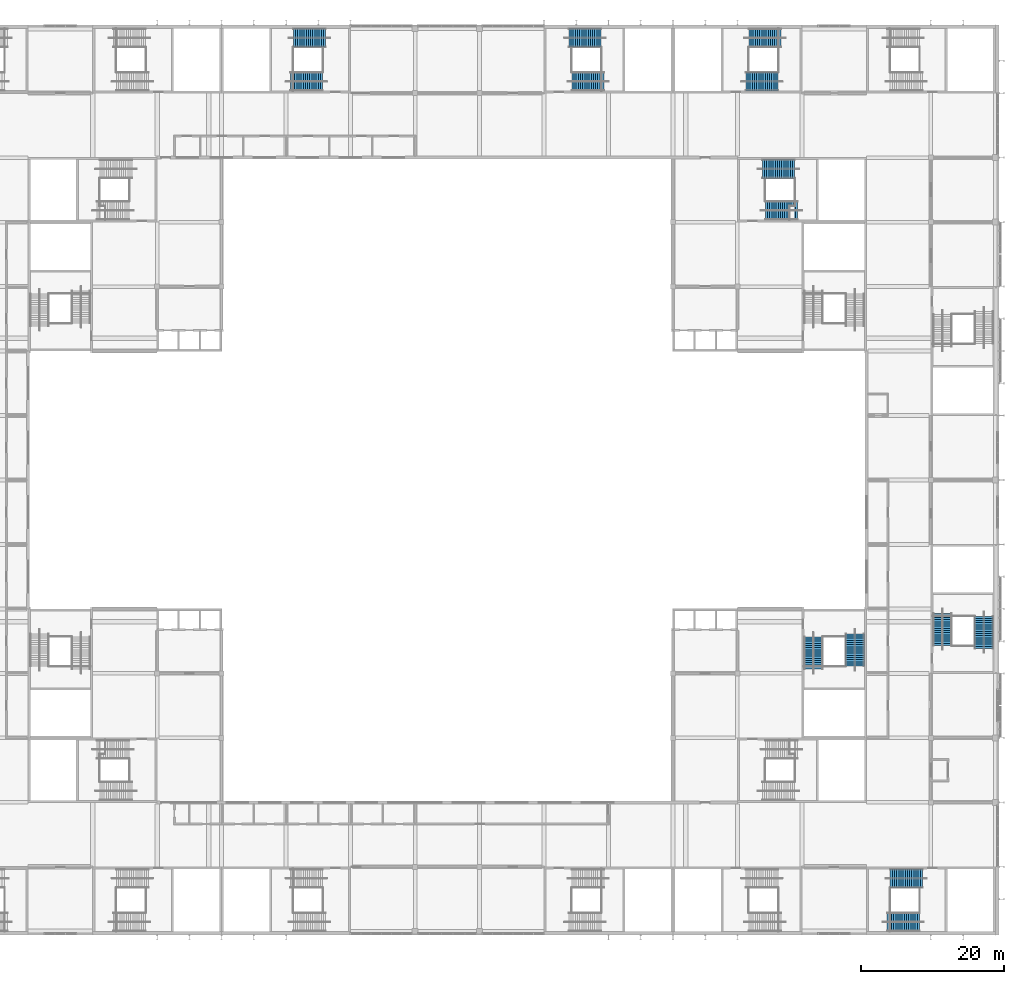
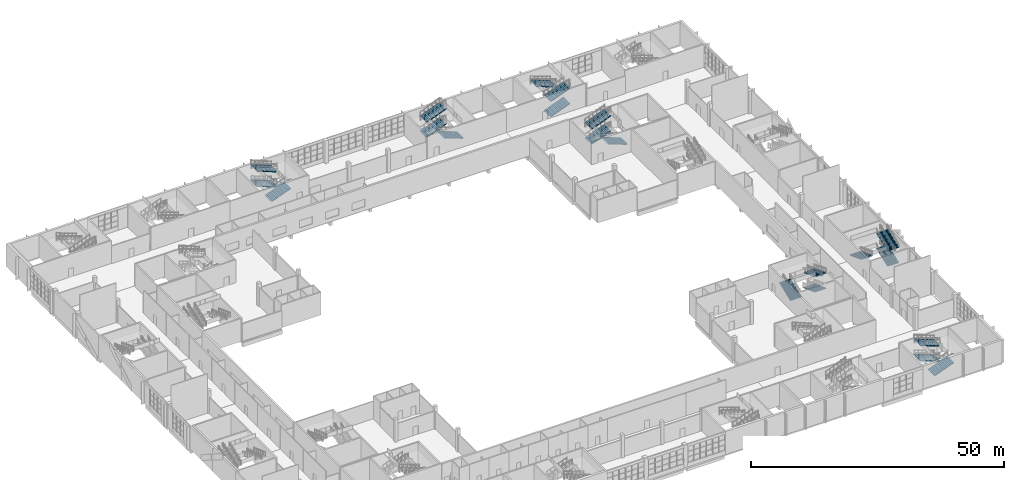
# One storey, part 46 of 84: 21 stair flights, 7 elements without a shape of their own.
"""IFC4 building model written with IfcOpenShell, lengths in metres."""

from ifc_helpers import new_model, si_unit, direction, frame, origin, place, context, subcontext, project, spatial, polyline, outline, extrude, material, type_object, element, aggregate, save


model = new_model("IFC4")

# Units and contexts
model_context = context("Model", 3, precision=1e-05, world=origin(), true_north=direction((0.0, 1.0)))
body_context = subcontext(model_context, "Body", "Model", "MODEL_VIEW")
ifc_project = project(units=[si_unit("LENGTHUNIT", "METRE"), si_unit("AREAUNIT", "SQUARE_METRE"), si_unit("VOLUMEUNIT", "CUBIC_METRE"), si_unit("PLANEANGLEUNIT", "RADIAN"), si_unit("MASSUNIT", "GRAM", prefix="KILO")], contexts=[model_context])

# Site, building, storey
site_placement = place(None, origin())
site = spatial("IfcSite", under=ifc_project, at=site_placement, CompositionType="ELEMENT")
building_placement = place(site_placement, origin())
building = spatial("IfcBuilding", under=site, at=building_placement, Name="Silverbay Arena", CompositionType="ELEMENT")
storey_placement = place(building_placement, frame((0.0, 0.0, 28.0)))
storey = spatial("IfcBuildingStorey", under=building, at=storey_placement, Name="L04", CompositionType="ELEMENT", Elevation=28.0)

# Stair, stair flights
ifc_material_1 = material(Name="Concrete Grade C45", Category="concrete")
stair_type = type_object("IfcStairType", Name="Stair 2600 wide 48 risers 114.6 x 300", PredefinedType="HALF_TURN_STAIR", material=ifc_material_1)
stair_1_placement = place(storey_placement, origin())
stair_1 = element("IfcStair", 1, at=stair_1_placement, inside=storey, type_object=stair_type, Name="Stair ST-N2 L04 to L05", PredefinedType="HALF_TURN_STAIR")
ifc_material_2 = material(Name="Concrete Grade C45", Category="concrete")
stair_flight_type = type_object("IfcStairFlightType", Name="Stair flight 2600 wide 16 risers 114.6 x 300", PredefinedType="STRAIGHT", material=ifc_material_2)
stair_flight_1_placement = place(storey_placement, frame((113.5205078125, 142.699951171875, 0.0), z_axis=(0.0, 0.0, 1.0), x_axis=(-1.0, 0.0, 0.0)))
stair_flight_1 = element("IfcStairFlight", 2, at=stair_flight_1_placement, type_object=stair_flight_type, Name="Stair ST-N2 L04 to L05 flight 1", NumberOfRisers=16, NumberOfTreads=15, PredefinedType="STRAIGHT", RiserHeight=0.114583333, TreadLength=0.3, context=body_context, shape_type="SweptSolid", body=[
    extrude(outline(polyline([(0.0, 0.0), (0.0, 0.114501953125), (0.300048828125, 0.114501953125), (0.300048828125, 0.229248046875), (0.60009765625, 0.229248046875), (0.60009765625, 0.34375), (0.89990234375, 0.34375), (0.89990234375, 0.458251953125), (1.199951171875, 0.458251953125), (1.199951171875, 0.572998046875), (1.5, 0.572998046875), (1.5, 0.6875), (1.800048828125, 0.6875), (1.800048828125, 0.802001953125), (2.10009765625, 0.802001953125), (2.10009765625, 0.916748046875), (2.39990234375, 0.916748046875), (2.39990234375, 1.03125), (2.699951171875, 1.03125), (2.699951171875, 1.145751953125), (3.0, 1.145751953125), (3.0, 1.260498046875), (3.300048828125, 1.260498046875), (3.300048828125, 1.375), (3.60009765625, 1.375), (3.60009765625, 1.489501953125), (3.89990234375, 1.489501953125), (3.89990234375, 1.604248046875), (4.199951171875, 1.604248046875), (4.199951171875, 1.71875), (4.5, 1.71875), (4.5, 1.558349609375), (0.420166015625, 0.0), (0.0, 0.0)])), frame((0.0, 1.300048828125, 0.0), z_axis=(0.0, -1.0, 0.0), x_axis=(1.0, 0.0, 0.0)), (0.0, 0.0, 1.0), 2.60009765625),
])
stair_flight_2_placement = place(storey_placement, frame((108.60009765625, 136.60009765625, 1.833251953125), z_axis=(0.0, 0.0, 1.0), x_axis=(1.0, 0.0, 0.0)))
stair_flight_2 = element("IfcStairFlight", 3, at=stair_flight_2_placement, type_object=stair_flight_type, Name="Stair ST-N2 L04 to L05 flight 2", NumberOfRisers=16, NumberOfTreads=15, PredefinedType="STRAIGHT", RiserHeight=0.114583333, TreadLength=0.3, context=body_context, shape_type="SweptSolid", body=[
    extrude(outline(polyline([(0.0, 0.0), (0.0, 0.114501953125), (0.300048828125, 0.114501953125), (0.300048828125, 0.229248046875), (0.60009765625, 0.229248046875), (0.60009765625, 0.34375), (0.89990234375, 0.34375), (0.89990234375, 0.458251953125), (1.199951171875, 0.458251953125), (1.199951171875, 0.572998046875), (1.5, 0.572998046875), (1.5, 0.6875), (1.800048828125, 0.6875), (1.800048828125, 0.802001953125), (2.10009765625, 0.802001953125), (2.10009765625, 0.916748046875), (2.39990234375, 0.916748046875), (2.39990234375, 1.03125), (2.699951171875, 1.03125), (2.699951171875, 1.145751953125), (3.0, 1.145751953125), (3.0, 1.260498046875), (3.300048828125, 1.260498046875), (3.300048828125, 1.375), (3.60009765625, 1.375), (3.60009765625, 1.489501953125), (3.89990234375, 1.489501953125), (3.89990234375, 1.604248046875), (4.199951171875, 1.604248046875), (4.199951171875, 1.71875), (4.5, 1.71875), (4.5, 1.558349609375), (0.420166015625, 0.0), (0.0, 0.0)])), frame((0.0, 1.300048828125, 0.0), z_axis=(0.0, -1.0, 0.0), x_axis=(1.0, 0.0, 0.0)), (0.0, 0.0, 1.0), 2.60009765625),
])
stair_flight_3_placement = place(storey_placement, frame((113.5205078125, 142.699951171875, 3.666748046875), z_axis=(0.0, 0.0, 1.0), x_axis=(-1.0, 0.0, 0.0)))
stair_flight_3 = element("IfcStairFlight", 4, at=stair_flight_3_placement, type_object=stair_flight_type, Name="Stair ST-N2 L04 to L05 flight 3", NumberOfRisers=16, NumberOfTreads=15, PredefinedType="STRAIGHT", RiserHeight=0.114583333, TreadLength=0.3, context=body_context, shape_type="SweptSolid", body=[
    extrude(outline(polyline([(0.0, 0.0), (0.0, 0.114501953125), (0.300048828125, 0.114501953125), (0.300048828125, 0.229248046875), (0.60009765625, 0.229248046875), (0.60009765625, 0.34375), (0.89990234375, 0.34375), (0.89990234375, 0.458251953125), (1.199951171875, 0.458251953125), (1.199951171875, 0.572998046875), (1.5, 0.572998046875), (1.5, 0.6875), (1.800048828125, 0.6875), (1.800048828125, 0.802001953125), (2.10009765625, 0.802001953125), (2.10009765625, 0.916748046875), (2.39990234375, 0.916748046875), (2.39990234375, 1.03125), (2.699951171875, 1.03125), (2.699951171875, 1.145751953125), (3.0, 1.145751953125), (3.0, 1.260498046875), (3.300048828125, 1.260498046875), (3.300048828125, 1.375), (3.60009765625, 1.375), (3.60009765625, 1.489501953125), (3.89990234375, 1.489501953125), (3.89990234375, 1.604248046875), (4.199951171875, 1.604248046875), (4.199951171875, 1.71875), (4.5, 1.71875), (4.5, 1.558349609375), (0.420166015625, 0.0), (0.0, 0.0)])), frame((0.0, 1.300048828125, 0.0), z_axis=(0.0, -1.0, 0.0), x_axis=(1.0, 0.0, 0.0)), (0.0, 0.0, 1.0), 2.60009765625),
])
aggregate(stair_1, [stair_flight_1, stair_flight_2, stair_flight_3])

stair_2_placement = place(storey_placement, origin())
stair_2 = element("IfcStair", 5, at=stair_2_placement, inside=storey, type_object=stair_type, Name="Stair ST-N3 L04 to L05", PredefinedType="HALF_TURN_STAIR")
stair_flight_4_placement = place(storey_placement, frame((147.4794921875, 142.699951171875, 0.0), z_axis=(0.0, 0.0, 1.0), x_axis=(1.0, 0.0, 0.0)))
stair_flight_4 = element("IfcStairFlight", 6, at=stair_flight_4_placement, type_object=stair_flight_type, Name="Stair ST-N3 L04 to L05 flight 1", NumberOfRisers=16, NumberOfTreads=15, PredefinedType="STRAIGHT", RiserHeight=0.114583333, TreadLength=0.3, context=body_context, shape_type="SweptSolid", body=[
    extrude(outline(polyline([(0.0, 0.0), (0.0, 0.114501953125), (0.300048828125, 0.114501953125), (0.300048828125, 0.229248046875), (0.60009765625, 0.229248046875), (0.60009765625, 0.34375), (0.89990234375, 0.34375), (0.89990234375, 0.458251953125), (1.199951171875, 0.458251953125), (1.199951171875, 0.572998046875), (1.5, 0.572998046875), (1.5, 0.6875), (1.800048828125, 0.6875), (1.800048828125, 0.802001953125), (2.10009765625, 0.802001953125), (2.10009765625, 0.916748046875), (2.39990234375, 0.916748046875), (2.39990234375, 1.03125), (2.699951171875, 1.03125), (2.699951171875, 1.145751953125), (3.0, 1.145751953125), (3.0, 1.260498046875), (3.300048828125, 1.260498046875), (3.300048828125, 1.375), (3.60009765625, 1.375), (3.60009765625, 1.489501953125), (3.89990234375, 1.489501953125), (3.89990234375, 1.604248046875), (4.199951171875, 1.604248046875), (4.199951171875, 1.71875), (4.5, 1.71875), (4.5, 1.558349609375), (0.420166015625, 0.0), (0.0, 0.0)])), frame((0.0, 1.300048828125, 0.0), z_axis=(0.0, -1.0, 0.0), x_axis=(1.0, 0.0, 0.0)), (0.0, 0.0, 1.0), 2.60009765625),
])
stair_flight_5_placement = place(storey_placement, frame((152.39990234375, 136.60009765625, 1.833251953125), z_axis=(0.0, 0.0, 1.0), x_axis=(-1.0, 0.0, 0.0)))
stair_flight_5 = element("IfcStairFlight", 7, at=stair_flight_5_placement, type_object=stair_flight_type, Name="Stair ST-N3 L04 to L05 flight 2", NumberOfRisers=16, NumberOfTreads=15, PredefinedType="STRAIGHT", RiserHeight=0.114583333, TreadLength=0.3, context=body_context, shape_type="SweptSolid", body=[
    extrude(outline(polyline([(0.0, 0.0), (0.0, 0.114501953125), (0.300048828125, 0.114501953125), (0.300048828125, 0.229248046875), (0.60009765625, 0.229248046875), (0.60009765625, 0.34375), (0.89990234375, 0.34375), (0.89990234375, 0.458251953125), (1.199951171875, 0.458251953125), (1.199951171875, 0.572998046875), (1.5, 0.572998046875), (1.5, 0.6875), (1.800048828125, 0.6875), (1.800048828125, 0.802001953125), (2.10009765625, 0.802001953125), (2.10009765625, 0.916748046875), (2.39990234375, 0.916748046875), (2.39990234375, 1.03125), (2.699951171875, 1.03125), (2.699951171875, 1.145751953125), (3.0, 1.145751953125), (3.0, 1.260498046875), (3.300048828125, 1.260498046875), (3.300048828125, 1.375), (3.60009765625, 1.375), (3.60009765625, 1.489501953125), (3.89990234375, 1.489501953125), (3.89990234375, 1.604248046875), (4.199951171875, 1.604248046875), (4.199951171875, 1.71875), (4.5, 1.71875), (4.5, 1.558349609375), (0.420166015625, 0.0), (0.0, 0.0)])), frame((0.0, 1.300048828125, 0.0), z_axis=(0.0, -1.0, 0.0), x_axis=(1.0, 0.0, 0.0)), (0.0, 0.0, 1.0), 2.60009765625),
])
stair_flight_6_placement = place(storey_placement, frame((147.4794921875, 142.699951171875, 3.666748046875), z_axis=(0.0, 0.0, 1.0), x_axis=(1.0, 0.0, 0.0)))
stair_flight_6 = element("IfcStairFlight", 8, at=stair_flight_6_placement, type_object=stair_flight_type, Name="Stair ST-N3 L04 to L05 flight 3", NumberOfRisers=16, NumberOfTreads=15, PredefinedType="STRAIGHT", RiserHeight=0.114583333, TreadLength=0.3, context=body_context, shape_type="SweptSolid", body=[
    extrude(outline(polyline([(0.0, 0.0), (0.0, 0.114501953125), (0.300048828125, 0.114501953125), (0.300048828125, 0.229248046875), (0.60009765625, 0.229248046875), (0.60009765625, 0.34375), (0.89990234375, 0.34375), (0.89990234375, 0.458251953125), (1.199951171875, 0.458251953125), (1.199951171875, 0.572998046875), (1.5, 0.572998046875), (1.5, 0.6875), (1.800048828125, 0.6875), (1.800048828125, 0.802001953125), (2.10009765625, 0.802001953125), (2.10009765625, 0.916748046875), (2.39990234375, 0.916748046875), (2.39990234375, 1.03125), (2.699951171875, 1.03125), (2.699951171875, 1.145751953125), (3.0, 1.145751953125), (3.0, 1.260498046875), (3.300048828125, 1.260498046875), (3.300048828125, 1.375), (3.60009765625, 1.375), (3.60009765625, 1.489501953125), (3.89990234375, 1.489501953125), (3.89990234375, 1.604248046875), (4.199951171875, 1.604248046875), (4.199951171875, 1.71875), (4.5, 1.71875), (4.5, 1.558349609375), (0.420166015625, 0.0), (0.0, 0.0)])), frame((0.0, 1.300048828125, 0.0), z_axis=(0.0, -1.0, 0.0), x_axis=(1.0, 0.0, 0.0)), (0.0, 0.0, 1.0), 2.60009765625),
])
aggregate(stair_2, [stair_flight_4, stair_flight_5, stair_flight_6])

stair_3_placement = place(storey_placement, origin())
stair_3 = element("IfcStair", 9, at=stair_3_placement, inside=storey, type_object=stair_type, Name="Stair ST-N4 L04 to L05", PredefinedType="HALF_TURN_STAIR")
stair_flight_7_placement = place(storey_placement, frame((172.1796875, 136.60009765625, 0.0), z_axis=(0.0, 0.0, 1.0), x_axis=(1.0, 0.0, 0.0)))
stair_flight_7 = element("IfcStairFlight", 10, at=stair_flight_7_placement, type_object=stair_flight_type, Name="Stair ST-N4 L04 to L05 flight 1", NumberOfRisers=16, NumberOfTreads=15, PredefinedType="STRAIGHT", RiserHeight=0.114583333, TreadLength=0.3, context=body_context, shape_type="SweptSolid", body=[
    extrude(outline(polyline([(0.0, 0.0), (0.0, 0.114501953125), (0.300048828125, 0.114501953125), (0.300048828125, 0.229248046875), (0.60009765625, 0.229248046875), (0.60009765625, 0.34375), (0.89990234375, 0.34375), (0.89990234375, 0.458251953125), (1.199951171875, 0.458251953125), (1.199951171875, 0.572998046875), (1.5, 0.572998046875), (1.5, 0.6875), (1.800048828125, 0.6875), (1.800048828125, 0.802001953125), (2.10009765625, 0.802001953125), (2.10009765625, 0.916748046875), (2.39990234375, 0.916748046875), (2.39990234375, 1.03125), (2.699951171875, 1.03125), (2.699951171875, 1.145751953125), (3.0, 1.145751953125), (3.0, 1.260498046875), (3.300048828125, 1.260498046875), (3.300048828125, 1.375), (3.60009765625, 1.375), (3.60009765625, 1.489501953125), (3.89990234375, 1.489501953125), (3.89990234375, 1.604248046875), (4.199951171875, 1.604248046875), (4.199951171875, 1.71875), (4.5, 1.71875), (4.5, 1.558349609375), (0.420166015625, 0.0), (0.0, 0.0)])), frame((0.0, 1.300048828125, 0.0), z_axis=(0.0, -1.0, 0.0), x_axis=(1.0, 0.0, 0.0)), (0.0, 0.0, 1.0), 2.60009765625),
])
stair_flight_8_placement = place(storey_placement, frame((177.10009765625, 142.699951171875, 1.833251953125), z_axis=(0.0, 0.0, 1.0), x_axis=(-1.0, 0.0, 0.0)))
stair_flight_8 = element("IfcStairFlight", 11, at=stair_flight_8_placement, type_object=stair_flight_type, Name="Stair ST-N4 L04 to L05 flight 2", NumberOfRisers=16, NumberOfTreads=15, PredefinedType="STRAIGHT", RiserHeight=0.114583333, TreadLength=0.3, context=body_context, shape_type="SweptSolid", body=[
    extrude(outline(polyline([(0.0, 0.0), (0.0, 0.114501953125), (0.300048828125, 0.114501953125), (0.300048828125, 0.229248046875), (0.60009765625, 0.229248046875), (0.60009765625, 0.34375), (0.89990234375, 0.34375), (0.89990234375, 0.458251953125), (1.199951171875, 0.458251953125), (1.199951171875, 0.572998046875), (1.5, 0.572998046875), (1.5, 0.6875), (1.800048828125, 0.6875), (1.800048828125, 0.802001953125), (2.10009765625, 0.802001953125), (2.10009765625, 0.916748046875), (2.39990234375, 0.916748046875), (2.39990234375, 1.03125), (2.699951171875, 1.03125), (2.699951171875, 1.145751953125), (3.0, 1.145751953125), (3.0, 1.260498046875), (3.300048828125, 1.260498046875), (3.300048828125, 1.375), (3.60009765625, 1.375), (3.60009765625, 1.489501953125), (3.89990234375, 1.489501953125), (3.89990234375, 1.604248046875), (4.199951171875, 1.604248046875), (4.199951171875, 1.71875), (4.5, 1.71875), (4.5, 1.558349609375), (0.420166015625, 0.0), (0.0, 0.0)])), frame((0.0, 1.300048828125, 0.0), z_axis=(0.0, -1.0, 0.0), x_axis=(1.0, 0.0, 0.0)), (0.0, 0.0, 1.0), 2.60009765625),
])
stair_flight_9_placement = place(storey_placement, frame((172.1796875, 136.60009765625, 3.666748046875), z_axis=(0.0, 0.0, 1.0), x_axis=(1.0, 0.0, 0.0)))
stair_flight_9 = element("IfcStairFlight", 12, at=stair_flight_9_placement, type_object=stair_flight_type, Name="Stair ST-N4 L04 to L05 flight 3", NumberOfRisers=16, NumberOfTreads=15, PredefinedType="STRAIGHT", RiserHeight=0.114583333, TreadLength=0.3, context=body_context, shape_type="SweptSolid", body=[
    extrude(outline(polyline([(0.0, 0.0), (0.0, 0.114501953125), (0.300048828125, 0.114501953125), (0.300048828125, 0.229248046875), (0.60009765625, 0.229248046875), (0.60009765625, 0.34375), (0.89990234375, 0.34375), (0.89990234375, 0.458251953125), (1.199951171875, 0.458251953125), (1.199951171875, 0.572998046875), (1.5, 0.572998046875), (1.5, 0.6875), (1.800048828125, 0.6875), (1.800048828125, 0.802001953125), (2.10009765625, 0.802001953125), (2.10009765625, 0.916748046875), (2.39990234375, 0.916748046875), (2.39990234375, 1.03125), (2.699951171875, 1.03125), (2.699951171875, 1.145751953125), (3.0, 1.145751953125), (3.0, 1.260498046875), (3.300048828125, 1.260498046875), (3.300048828125, 1.375), (3.60009765625, 1.375), (3.60009765625, 1.489501953125), (3.89990234375, 1.489501953125), (3.89990234375, 1.604248046875), (4.199951171875, 1.604248046875), (4.199951171875, 1.71875), (4.5, 1.71875), (4.5, 1.558349609375), (0.420166015625, 0.0), (0.0, 0.0)])), frame((0.0, 1.300048828125, 0.0), z_axis=(0.0, -1.0, 0.0), x_axis=(1.0, 0.0, 0.0)), (0.0, 0.0, 1.0), 2.60009765625),
])
aggregate(stair_3, [stair_flight_7, stair_flight_8, stair_flight_9])

stair_4_placement = place(storey_placement, origin())
stair_4 = element("IfcStair", 13, at=stair_4_placement, inside=storey, type_object=stair_type, Name="Stair ST-S6 L04 to L05", PredefinedType="HALF_TURN_STAIR")
stair_flight_10_placement = place(storey_placement, frame((196.8203125, 25.39990234375, 0.0), z_axis=(0.0, 0.0, 1.0), x_axis=(-1.0, 0.0, 0.0)))
stair_flight_10 = element("IfcStairFlight", 14, at=stair_flight_10_placement, type_object=stair_flight_type, Name="Stair ST-S6 L04 to L05 flight 1", NumberOfRisers=16, NumberOfTreads=15, PredefinedType="STRAIGHT", RiserHeight=0.114583333, TreadLength=0.3, context=body_context, shape_type="SweptSolid", body=[
    extrude(outline(polyline([(0.0, 0.0), (0.0, 0.114501953125), (0.300048828125, 0.114501953125), (0.300048828125, 0.229248046875), (0.60009765625, 0.229248046875), (0.60009765625, 0.34375), (0.89990234375, 0.34375), (0.89990234375, 0.458251953125), (1.199951171875, 0.458251953125), (1.199951171875, 0.572998046875), (1.5, 0.572998046875), (1.5, 0.6875), (1.800048828125, 0.6875), (1.800048828125, 0.802001953125), (2.10009765625, 0.802001953125), (2.10009765625, 0.916748046875), (2.39990234375, 0.916748046875), (2.39990234375, 1.03125), (2.699951171875, 1.03125), (2.699951171875, 1.145751953125), (3.0, 1.145751953125), (3.0, 1.260498046875), (3.300048828125, 1.260498046875), (3.300048828125, 1.375), (3.60009765625, 1.375), (3.60009765625, 1.489501953125), (3.89990234375, 1.489501953125), (3.89990234375, 1.604248046875), (4.199951171875, 1.604248046875), (4.199951171875, 1.71875), (4.5, 1.71875), (4.5, 1.558349609375), (0.420166015625, 0.0), (0.0, 0.0)])), frame((0.0, 1.300048828125, 0.0), z_axis=(0.0, -1.0, 0.0), x_axis=(1.0, 0.0, 0.0)), (0.0, 0.0, 1.0), 2.60009765625),
])
stair_flight_11_placement = place(storey_placement, frame((191.89990234375, 19.300048828125, 1.833251953125), z_axis=(0.0, 0.0, 1.0), x_axis=(1.0, 0.0, 0.0)))
stair_flight_11 = element("IfcStairFlight", 15, at=stair_flight_11_placement, type_object=stair_flight_type, Name="Stair ST-S6 L04 to L05 flight 2", NumberOfRisers=16, NumberOfTreads=15, PredefinedType="STRAIGHT", RiserHeight=0.114583333, TreadLength=0.3, context=body_context, shape_type="SweptSolid", body=[
    extrude(outline(polyline([(0.0, 0.0), (0.0, 0.114501953125), (0.300048828125, 0.114501953125), (0.300048828125, 0.229248046875), (0.60009765625, 0.229248046875), (0.60009765625, 0.34375), (0.89990234375, 0.34375), (0.89990234375, 0.458251953125), (1.199951171875, 0.458251953125), (1.199951171875, 0.572998046875), (1.5, 0.572998046875), (1.5, 0.6875), (1.800048828125, 0.6875), (1.800048828125, 0.802001953125), (2.10009765625, 0.802001953125), (2.10009765625, 0.916748046875), (2.39990234375, 0.916748046875), (2.39990234375, 1.03125), (2.699951171875, 1.03125), (2.699951171875, 1.145751953125), (3.0, 1.145751953125), (3.0, 1.260498046875), (3.300048828125, 1.260498046875), (3.300048828125, 1.375), (3.60009765625, 1.375), (3.60009765625, 1.489501953125), (3.89990234375, 1.489501953125), (3.89990234375, 1.604248046875), (4.199951171875, 1.604248046875), (4.199951171875, 1.71875), (4.5, 1.71875), (4.5, 1.558349609375), (0.420166015625, 0.0), (0.0, 0.0)])), frame((0.0, 1.300048828125, 0.0), z_axis=(0.0, -1.0, 0.0), x_axis=(1.0, 0.0, 0.0)), (0.0, 0.0, 1.0), 2.60009765625),
])
stair_flight_12_placement = place(storey_placement, frame((196.8203125, 25.39990234375, 3.666748046875), z_axis=(0.0, 0.0, 1.0), x_axis=(-1.0, 0.0, 0.0)))
stair_flight_12 = element("IfcStairFlight", 16, at=stair_flight_12_placement, type_object=stair_flight_type, Name="Stair ST-S6 L04 to L05 flight 3", NumberOfRisers=16, NumberOfTreads=15, PredefinedType="STRAIGHT", RiserHeight=0.114583333, TreadLength=0.3, context=body_context, shape_type="SweptSolid", body=[
    extrude(outline(polyline([(0.0, 0.0), (0.0, 0.114501953125), (0.300048828125, 0.114501953125), (0.300048828125, 0.229248046875), (0.60009765625, 0.229248046875), (0.60009765625, 0.34375), (0.89990234375, 0.34375), (0.89990234375, 0.458251953125), (1.199951171875, 0.458251953125), (1.199951171875, 0.572998046875), (1.5, 0.572998046875), (1.5, 0.6875), (1.800048828125, 0.6875), (1.800048828125, 0.802001953125), (2.10009765625, 0.802001953125), (2.10009765625, 0.916748046875), (2.39990234375, 0.916748046875), (2.39990234375, 1.03125), (2.699951171875, 1.03125), (2.699951171875, 1.145751953125), (3.0, 1.145751953125), (3.0, 1.260498046875), (3.300048828125, 1.260498046875), (3.300048828125, 1.375), (3.60009765625, 1.375), (3.60009765625, 1.489501953125), (3.89990234375, 1.489501953125), (3.89990234375, 1.604248046875), (4.199951171875, 1.604248046875), (4.199951171875, 1.71875), (4.5, 1.71875), (4.5, 1.558349609375), (0.420166015625, 0.0), (0.0, 0.0)])), frame((0.0, 1.300048828125, 0.0), z_axis=(0.0, -1.0, 0.0), x_axis=(1.0, 0.0, 0.0)), (0.0, 0.0, 1.0), 2.60009765625),
])
aggregate(stair_4, [stair_flight_10, stair_flight_11, stair_flight_12])

stair_5_placement = place(storey_placement, origin())
stair_5 = element("IfcStair", 17, at=stair_5_placement, inside=storey, type_object=stair_type, Name="Stair ST-E1 L04 to L05", PredefinedType="HALF_TURN_STAIR")
stair_flight_13_placement = place(storey_placement, frame((205.39990234375, 57.4794921875, 0.0), z_axis=(0.0, 0.0, 1.0), x_axis=(0.0, 1.0, 0.0)))
stair_flight_13 = element("IfcStairFlight", 18, at=stair_flight_13_placement, type_object=stair_flight_type, Name="Stair ST-E1 L04 to L05 flight 1", NumberOfRisers=16, NumberOfTreads=15, PredefinedType="STRAIGHT", RiserHeight=0.114583333, TreadLength=0.3, context=body_context, shape_type="SweptSolid", body=[
    extrude(outline(polyline([(0.0, 0.0), (0.0, 0.114501953125), (0.300048828125, 0.114501953125), (0.300048828125, 0.229248046875), (0.60009765625, 0.229248046875), (0.60009765625, 0.34375), (0.89990234375, 0.34375), (0.89990234375, 0.458251953125), (1.199951171875, 0.458251953125), (1.199951171875, 0.572998046875), (1.5, 0.572998046875), (1.5, 0.6875), (1.800048828125, 0.6875), (1.800048828125, 0.802001953125), (2.10009765625, 0.802001953125), (2.10009765625, 0.916748046875), (2.39990234375, 0.916748046875), (2.39990234375, 1.03125), (2.699951171875, 1.03125), (2.699951171875, 1.145751953125), (3.0, 1.145751953125), (3.0, 1.260498046875), (3.300048828125, 1.260498046875), (3.300048828125, 1.375), (3.60009765625, 1.375), (3.60009765625, 1.489501953125), (3.89990234375, 1.489501953125), (3.89990234375, 1.604248046875), (4.199951171875, 1.604248046875), (4.199951171875, 1.71875), (4.5, 1.71875), (4.5, 1.558349609375), (0.420166015625, 0.0), (0.0, 0.0)])), frame((0.0, 1.300048828125, 0.0), z_axis=(0.0, -1.0, 0.0), x_axis=(1.0, 0.0, 0.0)), (0.0, 0.0, 1.0), 2.60009765625),
])
stair_flight_14_placement = place(storey_placement, frame((199.60009765625, 62.39990234375, 1.833251953125), z_axis=(0.0, 0.0, 1.0), x_axis=(0.0, -1.0, 0.0)))
stair_flight_14 = element("IfcStairFlight", 19, at=stair_flight_14_placement, type_object=stair_flight_type, Name="Stair ST-E1 L04 to L05 flight 2", NumberOfRisers=16, NumberOfTreads=15, PredefinedType="STRAIGHT", RiserHeight=0.114583333, TreadLength=0.3, context=body_context, shape_type="SweptSolid", body=[
    extrude(outline(polyline([(0.0, 0.0), (0.0, 0.114501953125), (0.300048828125, 0.114501953125), (0.300048828125, 0.229248046875), (0.60009765625, 0.229248046875), (0.60009765625, 0.34375), (0.89990234375, 0.34375), (0.89990234375, 0.458251953125), (1.199951171875, 0.458251953125), (1.199951171875, 0.572998046875), (1.5, 0.572998046875), (1.5, 0.6875), (1.800048828125, 0.6875), (1.800048828125, 0.802001953125), (2.10009765625, 0.802001953125), (2.10009765625, 0.916748046875), (2.39990234375, 0.916748046875), (2.39990234375, 1.03125), (2.699951171875, 1.03125), (2.699951171875, 1.145751953125), (3.0, 1.145751953125), (3.0, 1.260498046875), (3.300048828125, 1.260498046875), (3.300048828125, 1.375), (3.60009765625, 1.375), (3.60009765625, 1.489501953125), (3.89990234375, 1.489501953125), (3.89990234375, 1.604248046875), (4.199951171875, 1.604248046875), (4.199951171875, 1.71875), (4.5, 1.71875), (4.5, 1.558349609375), (0.420166015625, 0.0), (0.0, 0.0)])), frame((0.0, 1.300048828125, 0.0), z_axis=(0.0, -1.0, 0.0), x_axis=(1.0, 0.0, 0.0)), (0.0, 0.0, 1.0), 2.60009765625),
])
stair_flight_15_placement = place(storey_placement, frame((205.39990234375, 57.4794921875, 3.666748046875), z_axis=(0.0, 0.0, 1.0), x_axis=(0.0, 1.0, 0.0)))
stair_flight_15 = element("IfcStairFlight", 20, at=stair_flight_15_placement, type_object=stair_flight_type, Name="Stair ST-E1 L04 to L05 flight 3", NumberOfRisers=16, NumberOfTreads=15, PredefinedType="STRAIGHT", RiserHeight=0.114583333, TreadLength=0.3, context=body_context, shape_type="SweptSolid", body=[
    extrude(outline(polyline([(0.0, 0.0), (0.0, 0.114501953125), (0.300048828125, 0.114501953125), (0.300048828125, 0.229248046875), (0.60009765625, 0.229248046875), (0.60009765625, 0.34375), (0.89990234375, 0.34375), (0.89990234375, 0.458251953125), (1.199951171875, 0.458251953125), (1.199951171875, 0.572998046875), (1.5, 0.572998046875), (1.5, 0.6875), (1.800048828125, 0.6875), (1.800048828125, 0.802001953125), (2.10009765625, 0.802001953125), (2.10009765625, 0.916748046875), (2.39990234375, 0.916748046875), (2.39990234375, 1.03125), (2.699951171875, 1.03125), (2.699951171875, 1.145751953125), (3.0, 1.145751953125), (3.0, 1.260498046875), (3.300048828125, 1.260498046875), (3.300048828125, 1.375), (3.60009765625, 1.375), (3.60009765625, 1.489501953125), (3.89990234375, 1.489501953125), (3.89990234375, 1.604248046875), (4.199951171875, 1.604248046875), (4.199951171875, 1.71875), (4.5, 1.71875), (4.5, 1.558349609375), (0.420166015625, 0.0), (0.0, 0.0)])), frame((0.0, 1.300048828125, 0.0), z_axis=(0.0, -1.0, 0.0), x_axis=(1.0, 0.0, 0.0)), (0.0, 0.0, 1.0), 2.60009765625),
])
aggregate(stair_5, [stair_flight_13, stair_flight_14, stair_flight_15])

stair_6_placement = place(storey_placement, origin())
stair_6 = element("IfcStair", 21, at=stair_6_placement, inside=storey, type_object=stair_type, Name="Stair ST-SE2 L04 to L05", PredefinedType="HALF_TURN_STAIR")
stair_flight_16_placement = place(storey_placement, frame((187.39990234375, 59.5205078125, 0.0), z_axis=(0.0, 0.0, 1.0), x_axis=(0.0, -1.0, 0.0)))
stair_flight_16 = element("IfcStairFlight", 22, at=stair_flight_16_placement, type_object=stair_flight_type, Name="Stair ST-SE2 L04 to L05 flight 1", NumberOfRisers=16, NumberOfTreads=15, PredefinedType="STRAIGHT", RiserHeight=0.114583333, TreadLength=0.3, context=body_context, shape_type="SweptSolid", body=[
    extrude(outline(polyline([(0.0, 0.0), (0.0, 0.114501953125), (0.300048828125, 0.114501953125), (0.300048828125, 0.229248046875), (0.60009765625, 0.229248046875), (0.60009765625, 0.34375), (0.89990234375, 0.34375), (0.89990234375, 0.458251953125), (1.199951171875, 0.458251953125), (1.199951171875, 0.572998046875), (1.5, 0.572998046875), (1.5, 0.6875), (1.800048828125, 0.6875), (1.800048828125, 0.802001953125), (2.10009765625, 0.802001953125), (2.10009765625, 0.916748046875), (2.39990234375, 0.916748046875), (2.39990234375, 1.03125), (2.699951171875, 1.03125), (2.699951171875, 1.145751953125), (3.0, 1.145751953125), (3.0, 1.260498046875), (3.300048828125, 1.260498046875), (3.300048828125, 1.375), (3.60009765625, 1.375), (3.60009765625, 1.489501953125), (3.89990234375, 1.489501953125), (3.89990234375, 1.604248046875), (4.199951171875, 1.604248046875), (4.199951171875, 1.71875), (4.5, 1.71875), (4.5, 1.558349609375), (0.420166015625, 0.0), (0.0, 0.0)])), frame((0.0, 1.300048828125, 0.0), z_axis=(0.0, -1.0, 0.0), x_axis=(1.0, 0.0, 0.0)), (0.0, 0.0, 1.0), 2.60009765625),
])
stair_flight_17_placement = place(storey_placement, frame((181.60009765625, 54.60009765625, 1.833251953125), z_axis=(0.0, 0.0, 1.0), x_axis=(0.0, 1.0, 0.0)))
stair_flight_17 = element("IfcStairFlight", 23, at=stair_flight_17_placement, type_object=stair_flight_type, Name="Stair ST-SE2 L04 to L05 flight 2", NumberOfRisers=16, NumberOfTreads=15, PredefinedType="STRAIGHT", RiserHeight=0.114583333, TreadLength=0.3, context=body_context, shape_type="SweptSolid", body=[
    extrude(outline(polyline([(0.0, 0.0), (0.0, 0.114501953125), (0.300048828125, 0.114501953125), (0.300048828125, 0.229248046875), (0.60009765625, 0.229248046875), (0.60009765625, 0.34375), (0.89990234375, 0.34375), (0.89990234375, 0.458251953125), (1.199951171875, 0.458251953125), (1.199951171875, 0.572998046875), (1.5, 0.572998046875), (1.5, 0.6875), (1.800048828125, 0.6875), (1.800048828125, 0.802001953125), (2.10009765625, 0.802001953125), (2.10009765625, 0.916748046875), (2.39990234375, 0.916748046875), (2.39990234375, 1.03125), (2.699951171875, 1.03125), (2.699951171875, 1.145751953125), (3.0, 1.145751953125), (3.0, 1.260498046875), (3.300048828125, 1.260498046875), (3.300048828125, 1.375), (3.60009765625, 1.375), (3.60009765625, 1.489501953125), (3.89990234375, 1.489501953125), (3.89990234375, 1.604248046875), (4.199951171875, 1.604248046875), (4.199951171875, 1.71875), (4.5, 1.71875), (4.5, 1.558349609375), (0.420166015625, 0.0), (0.0, 0.0)])), frame((0.0, 1.300048828125, 0.0), z_axis=(0.0, -1.0, 0.0), x_axis=(1.0, 0.0, 0.0)), (0.0, 0.0, 1.0), 2.60009765625),
])
stair_flight_18_placement = place(storey_placement, frame((187.39990234375, 59.5205078125, 3.666748046875), z_axis=(0.0, 0.0, 1.0), x_axis=(0.0, -1.0, 0.0)))
stair_flight_18 = element("IfcStairFlight", 24, at=stair_flight_18_placement, type_object=stair_flight_type, Name="Stair ST-SE2 L04 to L05 flight 3", NumberOfRisers=16, NumberOfTreads=15, PredefinedType="STRAIGHT", RiserHeight=0.114583333, TreadLength=0.3, context=body_context, shape_type="SweptSolid", body=[
    extrude(outline(polyline([(0.0, 0.0), (0.0, 0.114501953125), (0.300048828125, 0.114501953125), (0.300048828125, 0.229248046875), (0.60009765625, 0.229248046875), (0.60009765625, 0.34375), (0.89990234375, 0.34375), (0.89990234375, 0.458251953125), (1.199951171875, 0.458251953125), (1.199951171875, 0.572998046875), (1.5, 0.572998046875), (1.5, 0.6875), (1.800048828125, 0.6875), (1.800048828125, 0.802001953125), (2.10009765625, 0.802001953125), (2.10009765625, 0.916748046875), (2.39990234375, 0.916748046875), (2.39990234375, 1.03125), (2.699951171875, 1.03125), (2.699951171875, 1.145751953125), (3.0, 1.145751953125), (3.0, 1.260498046875), (3.300048828125, 1.260498046875), (3.300048828125, 1.375), (3.60009765625, 1.375), (3.60009765625, 1.489501953125), (3.89990234375, 1.489501953125), (3.89990234375, 1.604248046875), (4.199951171875, 1.604248046875), (4.199951171875, 1.71875), (4.5, 1.71875), (4.5, 1.558349609375), (0.420166015625, 0.0), (0.0, 0.0)])), frame((0.0, 1.300048828125, 0.0), z_axis=(0.0, -1.0, 0.0), x_axis=(1.0, 0.0, 0.0)), (0.0, 0.0, 1.0), 2.60009765625),
])
aggregate(stair_6, [stair_flight_16, stair_flight_17, stair_flight_18])

stair_7_placement = place(storey_placement, origin())
stair_7 = element("IfcStair", 25, at=stair_7_placement, inside=storey, type_object=stair_type, Name="Stair ST-NE1 L04 to L05", PredefinedType="HALF_TURN_STAIR")
stair_flight_19_placement = place(storey_placement, frame((174.4794921875, 124.39990234375, 0.0), z_axis=(0.0, 0.0, 1.0), x_axis=(1.0, 0.0, 0.0)))
stair_flight_19 = element("IfcStairFlight", 26, at=stair_flight_19_placement, type_object=stair_flight_type, Name="Stair ST-NE1 L04 to L05 flight 1", NumberOfRisers=16, NumberOfTreads=15, PredefinedType="STRAIGHT", RiserHeight=0.114583333, TreadLength=0.3, context=body_context, shape_type="SweptSolid", body=[
    extrude(outline(polyline([(0.0, 0.0), (0.0, 0.114501953125), (0.300048828125, 0.114501953125), (0.300048828125, 0.229248046875), (0.60009765625, 0.229248046875), (0.60009765625, 0.34375), (0.89990234375, 0.34375), (0.89990234375, 0.458251953125), (1.199951171875, 0.458251953125), (1.199951171875, 0.572998046875), (1.5, 0.572998046875), (1.5, 0.6875), (1.800048828125, 0.6875), (1.800048828125, 0.802001953125), (2.10009765625, 0.802001953125), (2.10009765625, 0.916748046875), (2.39990234375, 0.916748046875), (2.39990234375, 1.03125), (2.699951171875, 1.03125), (2.699951171875, 1.145751953125), (3.0, 1.145751953125), (3.0, 1.260498046875), (3.300048828125, 1.260498046875), (3.300048828125, 1.375), (3.60009765625, 1.375), (3.60009765625, 1.489501953125), (3.89990234375, 1.489501953125), (3.89990234375, 1.604248046875), (4.199951171875, 1.604248046875), (4.199951171875, 1.71875), (4.5, 1.71875), (4.5, 1.558349609375), (0.420166015625, 0.0), (0.0, 0.0)])), frame((0.0, 1.300048828125, 0.0), z_axis=(0.0, -1.0, 0.0), x_axis=(1.0, 0.0, 0.0)), (0.0, 0.0, 1.0), 2.60009765625),
])
stair_flight_20_placement = place(storey_placement, frame((179.39990234375, 118.60009765625, 1.833251953125), z_axis=(0.0, 0.0, 1.0), x_axis=(-1.0, 0.0, 0.0)))
stair_flight_20 = element("IfcStairFlight", 27, at=stair_flight_20_placement, type_object=stair_flight_type, Name="Stair ST-NE1 L04 to L05 flight 2", NumberOfRisers=16, NumberOfTreads=15, PredefinedType="STRAIGHT", RiserHeight=0.114583333, TreadLength=0.3, context=body_context, shape_type="SweptSolid", body=[
    extrude(outline(polyline([(0.0, 0.0), (0.0, 0.114501953125), (0.300048828125, 0.114501953125), (0.300048828125, 0.229248046875), (0.60009765625, 0.229248046875), (0.60009765625, 0.34375), (0.89990234375, 0.34375), (0.89990234375, 0.458251953125), (1.199951171875, 0.458251953125), (1.199951171875, 0.572998046875), (1.5, 0.572998046875), (1.5, 0.6875), (1.800048828125, 0.6875), (1.800048828125, 0.802001953125), (2.10009765625, 0.802001953125), (2.10009765625, 0.916748046875), (2.39990234375, 0.916748046875), (2.39990234375, 1.03125), (2.699951171875, 1.03125), (2.699951171875, 1.145751953125), (3.0, 1.145751953125), (3.0, 1.260498046875), (3.300048828125, 1.260498046875), (3.300048828125, 1.375), (3.60009765625, 1.375), (3.60009765625, 1.489501953125), (3.89990234375, 1.489501953125), (3.89990234375, 1.604248046875), (4.199951171875, 1.604248046875), (4.199951171875, 1.71875), (4.5, 1.71875), (4.5, 1.558349609375), (0.420166015625, 0.0), (0.0, 0.0)])), frame((0.0, 1.300048828125, 0.0), z_axis=(0.0, -1.0, 0.0), x_axis=(1.0, 0.0, 0.0)), (0.0, 0.0, 1.0), 2.60009765625),
])
stair_flight_21_placement = place(storey_placement, frame((174.4794921875, 124.39990234375, 3.666748046875), z_axis=(0.0, 0.0, 1.0), x_axis=(1.0, 0.0, 0.0)))
stair_flight_21 = element("IfcStairFlight", 28, at=stair_flight_21_placement, type_object=stair_flight_type, Name="Stair ST-NE1 L04 to L05 flight 3", NumberOfRisers=16, NumberOfTreads=15, PredefinedType="STRAIGHT", RiserHeight=0.114583333, TreadLength=0.3, context=body_context, shape_type="SweptSolid", body=[
    extrude(outline(polyline([(0.0, 0.0), (0.0, 0.114501953125), (0.300048828125, 0.114501953125), (0.300048828125, 0.229248046875), (0.60009765625, 0.229248046875), (0.60009765625, 0.34375), (0.89990234375, 0.34375), (0.89990234375, 0.458251953125), (1.199951171875, 0.458251953125), (1.199951171875, 0.572998046875), (1.5, 0.572998046875), (1.5, 0.6875), (1.800048828125, 0.6875), (1.800048828125, 0.802001953125), (2.10009765625, 0.802001953125), (2.10009765625, 0.916748046875), (2.39990234375, 0.916748046875), (2.39990234375, 1.03125), (2.699951171875, 1.03125), (2.699951171875, 1.145751953125), (3.0, 1.145751953125), (3.0, 1.260498046875), (3.300048828125, 1.260498046875), (3.300048828125, 1.375), (3.60009765625, 1.375), (3.60009765625, 1.489501953125), (3.89990234375, 1.489501953125), (3.89990234375, 1.604248046875), (4.199951171875, 1.604248046875), (4.199951171875, 1.71875), (4.5, 1.71875), (4.5, 1.558349609375), (0.420166015625, 0.0), (0.0, 0.0)])), frame((0.0, 1.300048828125, 0.0), z_axis=(0.0, -1.0, 0.0), x_axis=(1.0, 0.0, 0.0)), (0.0, 0.0, 1.0), 2.60009765625),
])
aggregate(stair_7, [stair_flight_19, stair_flight_20, stair_flight_21])

save(model, "model.ifc")
